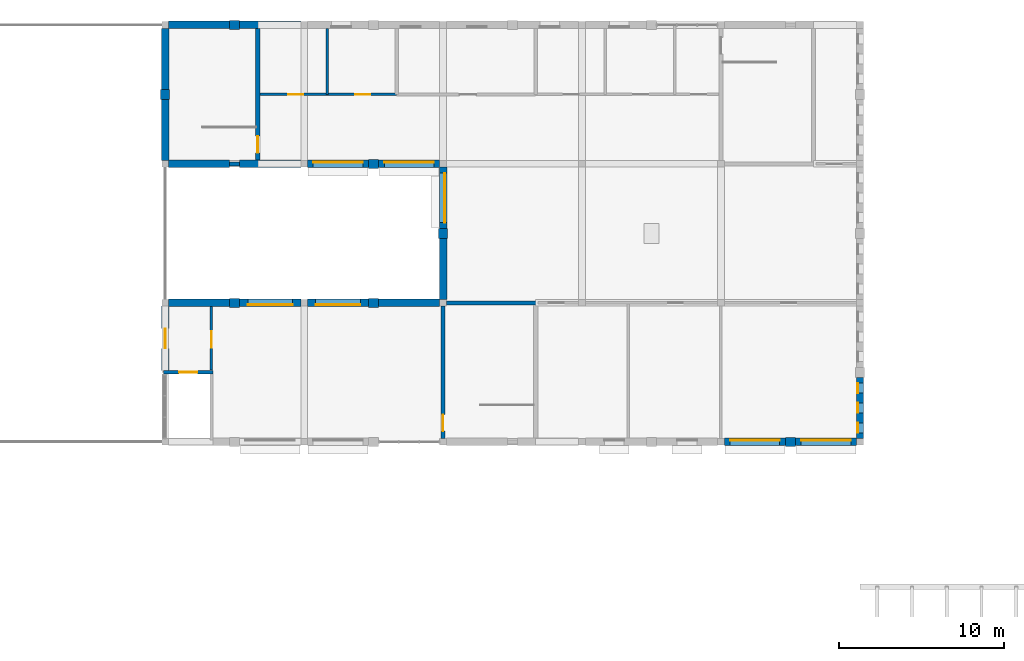
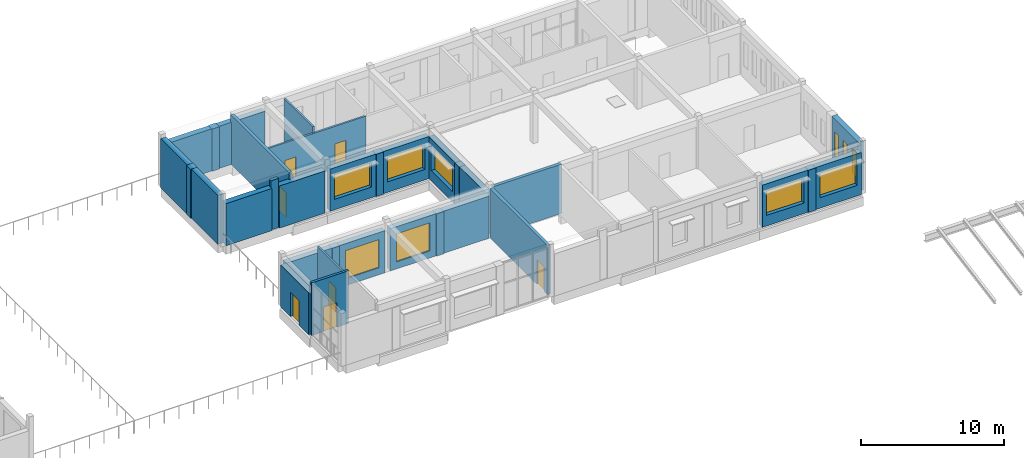
# One storey, part 24 of 30: 33 walls, 10 windows, 7 doors, 17 openings.
"""IFC4 building model written with IfcOpenShell, lengths in metres."""

from ifc_helpers import new_model, si_unit, direction, frame, frame_2d, origin, place, context, subcontext, project, spatial, rectangle, extrude, material, layer, layer_set, type_object, element, fill, save


model = new_model("IFC4")

# Units and contexts
model_context = context("Model", 3, precision=1e-05, world=origin(), true_north=direction((0.0, 1.0)))
body_context = subcontext(model_context, "Body", "Model", "MODEL_VIEW")
ifc_project = project(units=[si_unit("LENGTHUNIT", "METRE"), si_unit("AREAUNIT", "SQUARE_METRE"), si_unit("VOLUMEUNIT", "CUBIC_METRE"), si_unit("PLANEANGLEUNIT", "RADIAN"), si_unit("MASSUNIT", "GRAM", prefix="KILO")], contexts=[model_context])

# Site, building, storey
site_placement = place(None, origin())
site = spatial("IfcSite", under=ifc_project, at=site_placement, CompositionType="ELEMENT")
building_placement = place(site_placement, origin())
building = spatial("IfcBuilding", under=site, at=building_placement, Name="Fescue Hill Polytechnic", CompositionType="ELEMENT")
storey_placement = place(building_placement, frame((0.0, 0.0, 22.5)))
storey = spatial("IfcBuildingStorey", under=building, at=storey_placement, Name="L05", CompositionType="ELEMENT", Elevation=22.5)

# Walls
ifc_material_1 = material(Name="Clay brick masonry", Category="masonry")
ifc_layer_1 = layer(ifc_material_1, 0.550048828125)
ifc_layer_set_1 = layer_set([ifc_layer_1], Name="Clay brick masonry")
wall_type_1 = type_object("IfcWallType", Name="Brick pier 600x550", PredefinedType="SOLIDWALL", material=ifc_layer_set_1)
wall_1_placement = place(storey_placement, frame((75.60009765625, 130.5, 0.0), z_axis=(0.0, 0.0, 1.0), x_axis=(0.0, -1.0, 0.0)))
element("IfcWall", 1, at=wall_1_placement, inside=storey, type_object=wall_type_1, Name="PR-L05-V4b-1", PredefinedType="SOLIDWALL", context=body_context, shape_type="SweptSolid", body=[
    extrude(rectangle(XDim=0.60009765625, YDim=0.550048828125, at=frame_2d((0.300048828125, 0.0))), origin(), (0.0, 0.0, 1.0), 4.199951171875),
])
for number, where, z_axis, x_axis, name in (
    (2, (87.89990234375, 126.0, 0.0), (0.0, 0.0, 1.0), (1.0, 0.0, 0.0), "PR-L05-V4b-3"),
    (3, (92.39990234375, 122.10009765625, 0.0), (0.0, 0.0, 1.0), (0.0, -1.0, 0.0), "PR-L05-V4b-4"),
    (4, (88.5, 117.60009765625, 0.0), (0.0, 0.0, 1.0), (-1.0, 0.0, 0.0), "PR-L05-V4b-5"),
    (5, (80.10009765625, 117.60009765625, 0.0), (0.0, 0.0, 1.0), (-1.0, 0.0, 0.0), "PR-L05-V4b-6"),
):
    element("IfcWall", number, at=place(storey_placement, frame(where, z_axis=z_axis, x_axis=x_axis)), inside=storey, type_object=wall_type_1, Name=name, PredefinedType="SOLIDWALL", context=body_context, shape_type="SweptSolid", body=[
        extrude(rectangle(XDim=0.60009765625, YDim=0.550048828125, at=frame_2d((0.300048828125, 0.0))), origin(), (0.0, 0.0, 1.0), 3.60009765625),
    ])
wall_2_placement = place(storey_placement, frame((113.10009765625, 109.199951171875, 0.0), z_axis=(0.0, 0.0, 1.0), x_axis=(1.0, 0.0, 0.0)))
element("IfcWall", 6, at=wall_2_placement, inside=storey, type_object=wall_type_1, Name="PR-L05-V4b-11", PredefinedType="SOLIDWALL", context=body_context, shape_type="SweptSolid", body=[
    extrude(rectangle(XDim=0.599853515625, YDim=0.550048828125, at=frame_2d((0.2998046875, 0.0))), origin(), (0.0, 0.0, 1.0), 3.60009765625),
])
wall_3_placement = place(storey_placement, frame((80.10009765625, 134.39990234375, 0.0), z_axis=(0.0, 0.0, 1.0), x_axis=(-1.0, 0.0, 0.0)))
element("IfcWall", 7, at=wall_3_placement, inside=storey, type_object=wall_type_1, Name="PR-L05-V4b-19", PredefinedType="SOLIDWALL", context=body_context, shape_type="SweptSolid", body=[
    extrude(rectangle(XDim=0.60009765625, YDim=0.550048828125, at=frame_2d((0.300048828125, 0.0))), origin(), (0.0, 0.0, 1.0), 3.60009765625),
])
ifc_material_2 = material(Name="Concrete 40 MPa", Category="concrete")
ifc_layer_2 = layer(ifc_material_2, 0.25)
ifc_layer_set_2 = layer_set([ifc_layer_2], Name="Concrete 40 MPa")
wall_type_2 = type_object("IfcWallType", Name="Core wall 250", PredefinedType="SHEAR", material=ifc_layer_set_2)
wall_4_placement = place(storey_placement, frame((92.60009765625, 117.60009765625, 0.0), z_axis=(0.0, 0.0, 1.0), x_axis=(1.0, 0.0, 0.0)))
element("IfcWall", 8, at=wall_4_placement, inside=storey, type_object=wall_type_2, Name="CW-L05-ST-V4b-3-21", PredefinedType="SHEAR", context=body_context, shape_type="SweptSolid", body=[
    extrude(rectangle(XDim=5.52490234375, YDim=0.25, at=frame_2d((2.762451171875, 0.0))), origin(), (0.0, 0.0, 1.0), 4.199951171875),
])

# Wall, opening, door
wall_5_placement = place(storey_placement, frame((92.39990234375, 109.39990234375, 0.0), z_axis=(0.0, 0.0, 1.0), x_axis=(0.0, 1.0, 0.0)))
wall_5 = element("IfcWall", 9, at=wall_5_placement, inside=storey, type_object=wall_type_2, Name="CW-L05-ST-V4b-3-31", PredefinedType="SHEAR", context=body_context, shape_type="SweptSolid", body=[
    extrude(rectangle(XDim=8.0, YDim=0.25, at=frame_2d((4.0, 0.0))), origin(), (0.0, 0.0, 1.0), 4.199951171875),
])
opening_1_placement = place(wall_5_placement, frame((0.449951171875, 0.0, 0.0)))
opening_1 = element("IfcOpeningElement", 10, at=opening_1_placement, cuts=wall_5, Name="Opening D5047", PredefinedType="OPENING", context=body_context, shape_type="SweptSolid", body=[
    extrude(rectangle(XDim=1.0, YDim=2.10009765625, at=frame_2d((0.5, 1.050048828125))), frame((0.0, 0.135009765625, 0.0), z_axis=(0.0, -1.0, 0.0), x_axis=(1.0, 0.0, 0.0)), (0.0, 0.0, 1.0), 0.27001953125),
])
ifc_material_3 = material(Name="Steel fire door", Category="steel")
door_type_1 = type_object("IfcDoorType", Name="Door single swing 1000x2100 stair fire rated", OperationType="NOTDEFINED", PredefinedType="DOOR", material=ifc_material_3)
door_1_placement = place(opening_1_placement, origin())
door_1 = element("IfcDoor", 11, at=door_1_placement, inside=storey, type_object=door_type_1, Name="L05 ST-V4b-3 stair door", OperationType="SINGLE_SWING_RIGHT", OverallHeight=2.10009765625, OverallWidth=1.0, PredefinedType="DOOR", context=body_context, shape_type="SweptSolid", body=[
    extrude(rectangle(XDim=1.0, YDim=2.10009765625, at=frame_2d((0.5, 1.050048828125))), frame((0.0, 0.02490234375, 0.0), z_axis=(0.0, -1.0, 0.0), x_axis=(1.0, 0.0, 0.0)), (0.0, 0.0, 1.0), 0.050048828125),
])
fill(opening_1, door_1)

wall_6_placement = place(storey_placement, frame((81.199951171875, 126.125, 0.0), z_axis=(0.0, 0.0, 1.0), x_axis=(0.0, 1.0, 0.0)))
wall_6 = element("IfcWall", 12, at=wall_6_placement, inside=storey, type_object=wall_type_2, Name="CW-L05-ST-V4b-4-41", PredefinedType="SHEAR", context=body_context, shape_type="SweptSolid", body=[
    extrude(rectangle(XDim=8.14990234375, YDim=0.25, at=frame_2d((4.074951171875, 0.0))), origin(), (0.0, 0.0, 1.0), 4.199951171875),
])
opening_2_placement = place(wall_6_placement, frame((0.550048828125, 0.0, 0.0)))
opening_2 = element("IfcOpeningElement", 13, at=opening_2_placement, cuts=wall_6, Name="Opening D5048", PredefinedType="OPENING", context=body_context, shape_type="SweptSolid", body=[
    extrude(rectangle(XDim=1.0, YDim=2.10009765625, at=frame_2d((0.5, 1.050048828125))), frame((0.0, 0.135009765625, 0.0), z_axis=(0.0, -1.0, 0.0), x_axis=(1.0, 0.0, 0.0)), (0.0, 0.0, 1.0), 0.27001953125),
])
door_2_placement = place(opening_2_placement, origin())
door_2 = element("IfcDoor", 14, at=door_2_placement, inside=storey, type_object=door_type_1, Name="L05 ST-V4b-4 stair door", OperationType="SINGLE_SWING_LEFT", OverallHeight=2.10009765625, OverallWidth=1.0, PredefinedType="DOOR", context=body_context, shape_type="SweptSolid", body=[
    extrude(rectangle(XDim=1.0, YDim=2.10009765625, at=frame_2d((0.5, 1.050048828125))), frame((0.0, 0.02490234375, 0.0), z_axis=(0.0, -1.0, 0.0), x_axis=(1.0, 0.0, 0.0)), (0.0, 0.0, 1.0), 0.050048828125),
])
fill(opening_2, door_2)

# Wall
wall_7_placement = place(storey_placement, frame((79.5, 126.0, 0.0), z_axis=(0.0, 0.0, 1.0), x_axis=(1.0, 0.0, 0.0)))
element("IfcWall", 15, at=wall_7_placement, inside=storey, type_object=wall_type_2, Name="SCW-L05-ST-V4b-4-s1", PredefinedType="SHEAR", context=body_context, shape_type="SweptSolid", body=[
    extrude(rectangle(XDim=0.60009765625, YDim=0.25, at=frame_2d((0.300048828125, 0.0))), origin(), (0.0, 0.0, 1.0), 4.199951171875),
])

# Wall, openings, doors
ifc_material_4 = material(Name="Gypsum board partition")
ifc_layer_3 = layer(ifc_material_4, 0.14990234375)
ifc_layer_set_3 = layer_set([ifc_layer_3], Name="Gypsum board partition")
wall_type_3 = type_object("IfcWallType", Name="Corridor wall 150 EI 45", PredefinedType="PARTITIONING", material=ifc_layer_set_3)
wall_8_placement = place(storey_placement, frame((81.35009765625, 130.199951171875, 0.0), z_axis=(0.0, 0.0, 1.0), x_axis=(1.0, 0.0, 0.0)))
wall_8 = element("IfcWall", 16, at=wall_8_placement, inside=storey, type_object=wall_type_3, Name="IW-L05-038", PredefinedType="PARTITIONING", context=body_context, shape_type="SweptSolid", body=[
    extrude(rectangle(XDim=8.25, YDim=0.14990234375, at=frame_2d((4.125, 0.0))), origin(), (0.0, 0.0, 1.0), 3.60009765625),
])
opening_3_placement = place(wall_8_placement, frame((1.699951171875, 0.0, 0.0)))
opening_3 = element("IfcOpeningElement", 17, at=opening_3_placement, cuts=wall_8, Name="Opening D5034", PredefinedType="OPENING", context=body_context, shape_type="SweptSolid", body=[
    extrude(rectangle(XDim=0.89990234375, YDim=2.10009765625, at=frame_2d((0.449951171875, 1.050048828125))), frame((0.0, 0.0849609375, 0.0), z_axis=(0.0, -1.0, 0.0), x_axis=(1.0, 0.0, 0.0)), (0.0, 0.0, 1.0), 0.169921875),
])
opening_4_placement = place(wall_8_placement, frame((5.75, 0.0, 0.0)))
opening_4 = element("IfcOpeningElement", 18, at=opening_4_placement, cuts=wall_8, Name="Opening D5035", PredefinedType="OPENING", context=body_context, shape_type="SweptSolid", body=[
    extrude(rectangle(XDim=0.89990234375, YDim=2.10009765625, at=frame_2d((0.449951171875, 1.050048828125))), frame((0.0, 0.0849609375, 0.0), z_axis=(0.0, -1.0, 0.0), x_axis=(1.0, 0.0, 0.0)), (0.0, 0.0, 1.0), 0.169921875),
])
ifc_material_5 = material(Name="Timber", Category="wood")
door_type_2 = type_object("IfcDoorType", Name="Door single swing 900x2100 FD30S", OperationType="SINGLE_SWING_LEFT", PredefinedType="DOOR", material=ifc_material_5)
door_3_placement = place(opening_3_placement, origin())
door_3 = element("IfcDoor", 19, at=door_3_placement, inside=storey, type_object=door_type_2, Name="Door D5034", OperationType="SINGLE_SWING_LEFT", OverallHeight=2.10009765625, OverallWidth=0.89990234375, PredefinedType="DOOR", context=body_context, shape_type="SweptSolid", body=[
    extrude(rectangle(XDim=0.89990234375, YDim=2.10009765625, at=frame_2d((0.449951171875, 1.050048828125))), frame((0.0, 0.02490234375, 0.0), z_axis=(0.0, -1.0, 0.0), x_axis=(1.0, 0.0, 0.0)), (0.0, 0.0, 1.0), 0.050048828125),
])
fill(opening_3, door_3)
door_4_placement = place(opening_4_placement, origin())
door_4 = element("IfcDoor", 20, at=door_4_placement, inside=storey, type_object=door_type_2, Name="Door D5035", OperationType="SINGLE_SWING_RIGHT", OverallHeight=2.10009765625, OverallWidth=0.89990234375, PredefinedType="DOOR", context=body_context, shape_type="SweptSolid", body=[
    extrude(rectangle(XDim=0.89990234375, YDim=2.10009765625, at=frame_2d((0.449951171875, 1.050048828125))), frame((0.0, 0.02490234375, 0.0), z_axis=(0.0, -1.0, 0.0), x_axis=(1.0, 0.0, 0.0)), (0.0, 0.0, 1.0), 0.050048828125),
])
fill(opening_4, door_4)

# Wall, opening, window
ifc_layer_4 = layer(ifc_material_2, 0.449951171875)
ifc_layer_set_4 = layer_set([ifc_layer_4], Name="Concrete 40 MPa")
wall_type_4 = type_object("IfcWallType", Name="Exterior wall board-marked concrete 450", PredefinedType="SOLIDWALL", material=ifc_layer_set_4)
wall_9_placement = place(storey_placement, frame((84.199951171875, 126.0, 0.0), z_axis=(0.0, 0.0, 1.0), x_axis=(1.0, 0.0, 0.0)))
wall_9 = element("IfcWall", 21, at=wall_9_placement, inside=storey, type_object=wall_type_4, Name="EW-L05-V4b-5", PredefinedType="SOLIDWALL", context=body_context, shape_type="SweptSolid", body=[
    extrude(rectangle(XDim=3.699951171875, YDim=0.449951171875, at=frame_2d((1.85009765625, 0.0))), origin(), (0.0, 0.0, 1.0), 3.60009765625),
])
opening_5_placement = place(wall_9_placement, frame((0.35009765625, 0.0, 0.89990234375)))
opening_5 = element("IfcOpeningElement", 22, at=opening_5_placement, cuts=wall_9, Name="Opening W5", PredefinedType="OPENING", context=body_context, shape_type="SweptSolid", body=[
    extrude(rectangle(XDim=3.0, YDim=2.10009765625, at=frame_2d((1.5, 1.050048828125))), frame((0.0, 0.23486328125, 0.0), z_axis=(0.0, -1.0, 0.0), x_axis=(1.0, 0.0, 0.0)), (0.0, 0.0, 1.0), 0.469970703125),
])
ifc_material_6 = material(Name="Powder-coated aluminium and glass", Category="aluminium")
window_type_1 = type_object("IfcWindowType", Name="Window studio large 3000x2100", PartitioningType="SINGLE_PANEL", PredefinedType="WINDOW", material=ifc_material_6)
window_1_placement = place(opening_5_placement, origin())
window_1 = element("IfcWindow", 23, at=window_1_placement, inside=storey, type_object=window_type_1, Name="WN-L05-V4b-1", OverallHeight=2.10009765625, OverallWidth=3.0, PartitioningType="SINGLE_PANEL", PredefinedType="WINDOW", context=body_context, shape_type="SweptSolid", body=[
    extrude(rectangle(XDim=3.0, YDim=2.10009765625, at=frame_2d((1.5, 1.050048828125))), frame((0.0, 0.135009765625, 0.0), z_axis=(0.0, -1.0, 0.0), x_axis=(1.0, 0.0, 0.0)), (0.0, 0.0, 1.0), 0.06005859375),
])
fill(opening_5, window_1)

wall_10_placement = place(storey_placement, frame((88.5, 126.0, 0.0), z_axis=(0.0, 0.0, 1.0), x_axis=(1.0, 0.0, 0.0)))
wall_10 = element("IfcWall", 24, at=wall_10_placement, inside=storey, type_object=wall_type_4, Name="EW-L05-V4b-6", PredefinedType="SOLIDWALL", context=body_context, shape_type="SweptSolid", body=[
    extrude(rectangle(XDim=3.699951171875, YDim=0.449951171875, at=frame_2d((1.85009765625, 0.0))), origin(), (0.0, 0.0, 1.0), 3.60009765625),
])
opening_6_placement = place(wall_10_placement, frame((0.35009765625, 0.0, 0.89990234375)))
opening_6 = element("IfcOpeningElement", 25, at=opening_6_placement, cuts=wall_10, Name="Opening W5", PredefinedType="OPENING", context=body_context, shape_type="SweptSolid", body=[
    extrude(rectangle(XDim=3.0, YDim=2.10009765625, at=frame_2d((1.5, 1.050048828125))), frame((0.0, 0.23486328125, 0.0), z_axis=(0.0, -1.0, 0.0), x_axis=(1.0, 0.0, 0.0)), (0.0, 0.0, 1.0), 0.469970703125),
])
window_2_placement = place(opening_6_placement, origin())
window_2 = element("IfcWindow", 26, at=window_2_placement, inside=storey, type_object=window_type_1, Name="WN-L05-V4b-2", OverallHeight=2.10009765625, OverallWidth=3.0, PartitioningType="SINGLE_PANEL", PredefinedType="WINDOW", context=body_context, shape_type="SweptSolid", body=[
    extrude(rectangle(XDim=3.0, YDim=2.10009765625, at=frame_2d((1.5, 1.050048828125))), frame((0.0, 0.135009765625, 0.0), z_axis=(0.0, -1.0, 0.0), x_axis=(1.0, 0.0, 0.0)), (0.0, 0.0, 1.0), 0.06005859375),
])
fill(opening_6, window_2)

wall_11_placement = place(storey_placement, frame((92.39990234375, 125.800048828125, 0.0), z_axis=(0.0, 0.0, 1.0), x_axis=(0.0, -1.0, 0.0)))
wall_11 = element("IfcWall", 27, at=wall_11_placement, inside=storey, type_object=wall_type_4, Name="EW-L05-V4b-7", PredefinedType="SOLIDWALL", context=body_context, shape_type="SweptSolid", body=[
    extrude(rectangle(XDim=3.699951171875, YDim=0.449951171875, at=frame_2d((1.85009765625, 0.0))), origin(), (0.0, 0.0, 1.0), 3.60009765625),
])
opening_7_placement = place(wall_11_placement, frame((0.35009765625, 0.0, 0.89990234375)))
opening_7 = element("IfcOpeningElement", 28, at=opening_7_placement, cuts=wall_11, Name="Opening W5", PredefinedType="OPENING", context=body_context, shape_type="SweptSolid", body=[
    extrude(rectangle(XDim=3.0, YDim=2.10009765625, at=frame_2d((1.5, 1.050048828125))), frame((0.0, 0.23486328125, 0.0), z_axis=(0.0, -1.0, 0.0), x_axis=(1.0, 0.0, 0.0)), (0.0, 0.0, 1.0), 0.469970703125),
])
window_3_placement = place(opening_7_placement, origin())
window_3 = element("IfcWindow", 29, at=window_3_placement, inside=storey, type_object=window_type_1, Name="WN-L05-V4b-3", OverallHeight=2.10009765625, OverallWidth=3.0, PartitioningType="SINGLE_PANEL", PredefinedType="WINDOW", context=body_context, shape_type="SweptSolid", body=[
    extrude(rectangle(XDim=3.0, YDim=2.10009765625, at=frame_2d((1.5, 1.050048828125))), frame((0.0, 0.135009765625, 0.0), z_axis=(0.0, -1.0, 0.0), x_axis=(1.0, 0.0, 0.0)), (0.0, 0.0, 1.0), 0.06005859375),
])
fill(opening_7, window_3)

# Walls
for number, where, z_axis, x_axis, name in (
    (30, (92.39990234375, 121.5, 0.0), (0.0, 0.0, 1.0), (0.0, -1.0, 0.0), "EW-L05-V4b-8"),
    (31, (92.199951171875, 117.60009765625, 0.0), (0.0, 0.0, 1.0), (-1.0, 0.0, 0.0), "EW-L05-V4b-9"),
):
    element("IfcWall", number, at=place(storey_placement, frame(where, z_axis=z_axis, x_axis=x_axis)), inside=storey, type_object=wall_type_4, Name=name, PredefinedType="SOLIDWALL", context=body_context, shape_type="SweptSolid", body=[
        extrude(rectangle(XDim=3.699951171875, YDim=0.449951171875, at=frame_2d((1.85009765625, 0.0))), origin(), (0.0, 0.0, 1.0), 3.60009765625),
    ])

# Wall, opening, window
wall_12_placement = place(storey_placement, frame((87.89990234375, 117.60009765625, 0.0), z_axis=(0.0, 0.0, 1.0), x_axis=(-1.0, 0.0, 0.0)))
wall_12 = element("IfcWall", 32, at=wall_12_placement, inside=storey, type_object=wall_type_4, Name="EW-L05-V4b-10", PredefinedType="SOLIDWALL", context=body_context, shape_type="SweptSolid", body=[
    extrude(rectangle(XDim=3.699951171875, YDim=0.449951171875, at=frame_2d((1.85009765625, 0.0))), origin(), (0.0, 0.0, 1.0), 3.60009765625),
])
opening_8_placement = place(wall_12_placement, frame((0.5, 0.0, 0.60009765625)))
opening_8 = element("IfcOpeningElement", 33, at=opening_8_placement, cuts=wall_12, Name="Opening W16R", PredefinedType="OPENING", context=body_context, shape_type="SweptSolid", body=[
    extrude(rectangle(XDim=2.699951171875, YDim=2.39990234375, at=frame_2d((1.35009765625, 1.199951171875))), frame((0.0, 0.23486328125, 0.0), z_axis=(0.0, -1.0, 0.0), x_axis=(1.0, 0.0, 0.0)), (0.0, 0.0, 1.0), 0.469970703125),
])
window_type_2 = type_object("IfcWindowType", Name="Window studio north-light 2700x2400", PartitioningType="TRIPLE_PANEL_VERTICAL", PredefinedType="WINDOW", material=ifc_material_6)
window_4_placement = place(opening_8_placement, origin())
window_4 = element("IfcWindow", 34, at=window_4_placement, inside=storey, type_object=window_type_2, Name="WN-L05-V4b-4", OverallHeight=2.39990234375, OverallWidth=2.699951171875, PartitioningType="SINGLE_PANEL", PredefinedType="WINDOW", context=body_context, shape_type="SweptSolid", body=[
    extrude(rectangle(XDim=2.699951171875, YDim=2.39990234375, at=frame_2d((1.35009765625, 1.199951171875))), frame((0.0, 0.135009765625, 0.0), z_axis=(0.0, -1.0, 0.0), x_axis=(1.0, 0.0, 0.0)), (0.0, 0.0, 1.0), 0.06005859375),
])
fill(opening_8, window_4)

wall_13_placement = place(storey_placement, frame((83.800048828125, 117.60009765625, 0.0), z_axis=(0.0, 0.0, 1.0), x_axis=(-1.0, 0.0, 0.0)))
wall_13 = element("IfcWall", 35, at=wall_13_placement, inside=storey, type_object=wall_type_4, Name="EW-L05-V4b-11", PredefinedType="SOLIDWALL", context=body_context, shape_type="SweptSolid", body=[
    extrude(rectangle(XDim=3.699951171875, YDim=0.449951171875, at=frame_2d((1.85009765625, 0.0))), origin(), (0.0, 0.0, 1.0), 3.60009765625),
])
opening_9_placement = place(wall_13_placement, frame((0.5, 0.0, 0.60009765625)))
opening_9 = element("IfcOpeningElement", 36, at=opening_9_placement, cuts=wall_13, Name="Opening W16R", PredefinedType="OPENING", context=body_context, shape_type="SweptSolid", body=[
    extrude(rectangle(XDim=2.699951171875, YDim=2.39990234375, at=frame_2d((1.35009765625, 1.199951171875))), frame((0.0, 0.23486328125, 0.0), z_axis=(0.0, -1.0, 0.0), x_axis=(1.0, 0.0, 0.0)), (0.0, 0.0, 1.0), 0.469970703125),
])
window_5_placement = place(opening_9_placement, origin())
window_5 = element("IfcWindow", 37, at=window_5_placement, inside=storey, type_object=window_type_2, Name="WN-L05-V4b-5", OverallHeight=2.39990234375, OverallWidth=2.699951171875, PartitioningType="SINGLE_PANEL", PredefinedType="WINDOW", context=body_context, shape_type="SweptSolid", body=[
    extrude(rectangle(XDim=2.699951171875, YDim=2.39990234375, at=frame_2d((1.35009765625, 1.199951171875))), frame((0.0, 0.135009765625, 0.0), z_axis=(0.0, -1.0, 0.0), x_axis=(1.0, 0.0, 0.0)), (0.0, 0.0, 1.0), 0.06005859375),
])
fill(opening_9, window_5)

# Wall
wall_14_placement = place(storey_placement, frame((79.5, 117.60009765625, 0.0), z_axis=(0.0, 0.0, 1.0), x_axis=(-1.0, 0.0, 0.0)))
element("IfcWall", 38, at=wall_14_placement, inside=storey, type_object=wall_type_4, Name="EW-L05-V4b-12", PredefinedType="SOLIDWALL", context=body_context, shape_type="SweptSolid", body=[
    extrude(rectangle(XDim=3.699951171875, YDim=0.449951171875, at=frame_2d((1.85009765625, 0.0))), origin(), (0.0, 0.0, 1.0), 3.60009765625),
])

# Wall, opening, door
wall_15_placement = place(storey_placement, frame((75.60009765625, 117.39990234375, 0.0), z_axis=(0.0, 0.0, 1.0), x_axis=(0.0, -1.0, 0.0)))
wall_15 = element("IfcWall", 39, at=wall_15_placement, inside=storey, type_object=wall_type_4, Name="EW-L05-V4b-13", PredefinedType="SOLIDWALL", context=body_context, shape_type="SweptSolid", body=[
    extrude(rectangle(XDim=3.89892578125, YDim=0.449951171875, at=frame_2d((1.949462890625, 0.0))), origin(), (0.0, 0.0, 1.0), 3.60009765625),
])
opening_10_placement = place(wall_15_placement, frame((1.349609375, 0.0, 0.0)))
opening_10 = element("IfcOpeningElement", 40, at=opening_10_placement, cuts=wall_15, Name="Opening D5002", PredefinedType="OPENING", context=body_context, shape_type="SweptSolid", body=[
    extrude(rectangle(XDim=1.199951171875, YDim=2.10009765625, at=frame_2d((0.60009765625, 1.050048828125))), frame((0.0, 0.23486328125, 0.0), z_axis=(0.0, -1.0, 0.0), x_axis=(1.0, 0.0, 0.0)), (0.0, 0.0, 1.0), 0.469970703125),
])
ifc_material_7 = material(Name="Aluminium and glass", Category="aluminium")
door_type_3 = type_object("IfcDoorType", Name="Door terrace glazed single 1200x2100", OperationType="SINGLE_SWING_LEFT", PredefinedType="DOOR", material=ifc_material_7)
door_5_placement = place(opening_10_placement, origin())
door_5 = element("IfcDoor", 41, at=door_5_placement, inside=storey, type_object=door_type_3, Name="Door D5002", OperationType="SINGLE_SWING_LEFT", OverallHeight=2.10009765625, OverallWidth=1.199951171875, PredefinedType="DOOR", context=body_context, shape_type="SweptSolid", body=[
    extrude(rectangle(XDim=1.199951171875, YDim=2.10009765625, at=frame_2d((0.60009765625, 1.050048828125))), frame((0.0, 0.02490234375, 0.0), z_axis=(0.0, -1.0, 0.0), x_axis=(1.0, 0.0, 0.0)), (0.0, 0.0, 1.0), 0.050048828125),
])
fill(opening_10, door_5)

# Wall, opening, window
wall_16_placement = place(storey_placement, frame((109.39990234375, 109.199951171875, 0.0), z_axis=(0.0, 0.0, 1.0), x_axis=(1.0, 0.0, 0.0)))
wall_16 = element("IfcWall", 42, at=wall_16_placement, inside=storey, type_object=wall_type_4, Name="EW-L05-V4b-23", PredefinedType="SOLIDWALL", context=body_context, shape_type="SweptSolid", body=[
    extrude(rectangle(XDim=3.7001953125, YDim=0.449951171875, at=frame_2d((1.85009765625, 0.0))), origin(), (0.0, 0.0, 1.0), 3.60009765625),
])
opening_11_placement = place(wall_16_placement, frame((0.35009765625, 0.0, 0.89990234375)))
opening_11 = element("IfcOpeningElement", 43, at=opening_11_placement, cuts=wall_16, Name="Opening W5", PredefinedType="OPENING", context=body_context, shape_type="SweptSolid", body=[
    extrude(rectangle(XDim=3.0, YDim=2.10009765625, at=frame_2d((1.5, 1.050048828125))), frame((0.0, 0.23486328125, 0.0), z_axis=(0.0, -1.0, 0.0), x_axis=(1.0, 0.0, 0.0)), (0.0, 0.0, 1.0), 0.469970703125),
])
window_6_placement = place(opening_11_placement, origin())
window_6 = element("IfcWindow", 44, at=window_6_placement, inside=storey, type_object=window_type_1, Name="WN-L05-V4b-10", OverallHeight=2.10009765625, OverallWidth=3.0, PartitioningType="SINGLE_PANEL", PredefinedType="WINDOW", context=body_context, shape_type="SweptSolid", body=[
    extrude(rectangle(XDim=3.0, YDim=2.10009765625, at=frame_2d((1.5, 1.050048828125))), frame((0.0, 0.135009765625, 0.0), z_axis=(0.0, -1.0, 0.0), x_axis=(1.0, 0.0, 0.0)), (0.0, 0.0, 1.0), 0.06005859375),
])
fill(opening_11, window_6)

wall_17_placement = place(storey_placement, frame((113.699951171875, 109.199951171875, 0.0), z_axis=(0.0, 0.0, 1.0), x_axis=(1.0, 0.0, 0.0)))
wall_17 = element("IfcWall", 45, at=wall_17_placement, inside=storey, type_object=wall_type_4, Name="EW-L05-V4b-24", PredefinedType="SOLIDWALL", context=body_context, shape_type="SweptSolid", body=[
    extrude(rectangle(XDim=3.699951171875, YDim=0.449951171875, at=frame_2d((1.85009765625, 0.0))), origin(), (0.0, 0.0, 1.0), 3.60009765625),
])
opening_12_placement = place(wall_17_placement, frame((0.35009765625, 0.0, 0.89990234375)))
opening_12 = element("IfcOpeningElement", 46, at=opening_12_placement, cuts=wall_17, Name="Opening W5", PredefinedType="OPENING", context=body_context, shape_type="SweptSolid", body=[
    extrude(rectangle(XDim=3.0, YDim=2.10009765625, at=frame_2d((1.5, 1.050048828125))), frame((0.0, 0.23486328125, 0.0), z_axis=(0.0, -1.0, 0.0), x_axis=(1.0, 0.0, 0.0)), (0.0, 0.0, 1.0), 0.469970703125),
])
window_7_placement = place(opening_12_placement, origin())
window_7 = element("IfcWindow", 47, at=window_7_placement, inside=storey, type_object=window_type_1, Name="WN-L05-V4b-11", OverallHeight=2.10009765625, OverallWidth=3.0, PartitioningType="SINGLE_PANEL", PredefinedType="WINDOW", context=body_context, shape_type="SweptSolid", body=[
    extrude(rectangle(XDim=3.0, YDim=2.10009765625, at=frame_2d((1.5, 1.050048828125))), frame((0.0, 0.135009765625, 0.0), z_axis=(0.0, -1.0, 0.0), x_axis=(1.0, 0.0, 0.0)), (0.0, 0.0, 1.0), 0.06005859375),
])
fill(opening_12, window_7)

# Walls
ifc_layer_5 = layer(ifc_material_2, 0.449951171875)
ifc_layer_set_5 = layer_set([ifc_layer_5], Name="Concrete 40 MPa")
wall_type_5 = type_object("IfcWallType", Name="Exterior wall board-marked concrete 450 load-bearing", PredefinedType="SOLIDWALL", material=ifc_layer_set_5)
for number, where, z_axis, x_axis, name in (
    (48, (75.60009765625, 134.199951171875, 0.0), (0.0, 0.0, 1.0), (0.0, -1.0, 0.0), "EW-L05-V4b-1"),
    (49, (75.60009765625, 129.89990234375, 0.0), (0.0, 0.0, 1.0), (0.0, -1.0, 0.0), "EW-L05-V4b-2"),
):
    element("IfcWall", number, at=place(storey_placement, frame(where, z_axis=z_axis, x_axis=x_axis)), inside=storey, type_object=wall_type_5, Name=name, PredefinedType="SOLIDWALL", context=body_context, shape_type="SweptSolid", body=[
        extrude(rectangle(XDim=3.699951171875, YDim=0.449951171875, at=frame_2d((1.85009765625, 0.0))), origin(), (0.0, 0.0, 1.0), 4.199951171875),
    ])
for number, where, z_axis, x_axis, name in (
    (50, (75.800048828125, 126.0, 0.0), (0.0, 0.0, 1.0), (1.0, 0.0, 0.0), "EW-L05-V4b-3"),
    (51, (80.10009765625, 126.0, 0.0), (0.0, 0.0, 1.0), (1.0, 0.0, 0.0), "EW-L05-V4b-4"),
    (52, (83.800048828125, 134.39990234375, 0.0), (0.0, 0.0, 1.0), (-1.0, 0.0, 0.0), "EW-L05-V4b-39"),
    (53, (79.5, 134.39990234375, 0.0), (0.0, 0.0, 1.0), (-1.0, 0.0, 0.0), "EW-L05-V4b-40"),
):
    element("IfcWall", number, at=place(storey_placement, frame(where, z_axis=z_axis, x_axis=x_axis)), inside=storey, type_object=wall_type_5, Name=name, PredefinedType="SOLIDWALL", context=body_context, shape_type="SweptSolid", body=[
        extrude(rectangle(XDim=3.699951171875, YDim=0.449951171875, at=frame_2d((1.85009765625, 0.0))), origin(), (0.0, 0.0, 1.0), 3.60009765625),
    ])

# Wall, openings, windows
ifc_layer_6 = layer(ifc_material_1, 0.419921875)
ifc_layer_set_6 = layer_set([ifc_layer_6], Name="Clay brick masonry")
wall_type_6 = type_object("IfcWallType", Name="Exterior wall buff-red brick cavity 420", PredefinedType="SOLIDWALL", material=ifc_layer_set_6)
wall_18_placement = place(storey_placement, frame((117.60009765625, 109.39990234375, 0.0), z_axis=(0.0, 0.0, 1.0), x_axis=(0.0, 1.0, 0.0)))
wall_18 = element("IfcWall", 54, at=wall_18_placement, inside=storey, type_object=wall_type_6, Name="EW-L05-V4b-25", PredefinedType="SOLIDWALL", context=body_context, shape_type="SweptSolid", body=[
    extrude(rectangle(XDim=3.7001953125, YDim=0.419921875, at=frame_2d((1.85009765625, 0.0))), origin(), (0.0, 0.0, 1.0), 4.199951171875),
])
opening_13_placement = place(wall_18_placement, frame((0.35009765625, 0.0, 1.0)))
opening_13 = element("IfcOpeningElement", 55, at=opening_13_placement, cuts=wall_18, Name="Opening W6", PredefinedType="OPENING", context=body_context, shape_type="SweptSolid", body=[
    extrude(rectangle(XDim=0.60009765625, YDim=2.10009765625, at=frame_2d((0.300048828125, 1.050048828125))), frame((0.0, 0.219970703125, 0.0), z_axis=(0.0, -1.0, 0.0), x_axis=(1.0, 0.0, 0.0)), (0.0, 0.0, 1.0), 0.43994140625),
])
opening_14_placement = place(wall_18_placement, frame((1.550048828125, 0.0, 1.0)))
opening_14 = element("IfcOpeningElement", 56, at=opening_14_placement, cuts=wall_18, Name="Opening W6", PredefinedType="OPENING", context=body_context, shape_type="SweptSolid", body=[
    extrude(rectangle(XDim=0.60009765625, YDim=2.10009765625, at=frame_2d((0.300048828125, 1.050048828125))), frame((0.0, 0.219970703125, 0.0), z_axis=(0.0, -1.0, 0.0), x_axis=(1.0, 0.0, 0.0)), (0.0, 0.0, 1.0), 0.43994140625),
])
opening_15_placement = place(wall_18_placement, frame((2.75, 0.0, 1.0)))
opening_15 = element("IfcOpeningElement", 57, at=opening_15_placement, cuts=wall_18, Name="Opening W6", PredefinedType="OPENING", context=body_context, shape_type="SweptSolid", body=[
    extrude(rectangle(XDim=0.60009765625, YDim=2.10009765625, at=frame_2d((0.300048828125, 1.050048828125))), frame((0.0, 0.219970703125, 0.0), z_axis=(0.0, -1.0, 0.0), x_axis=(1.0, 0.0, 0.0)), (0.0, 0.0, 1.0), 0.43994140625),
])
window_type_3 = type_object("IfcWindowType", Name="Window slot 600x2100", PartitioningType="SINGLE_PANEL", PredefinedType="WINDOW", material=ifc_material_6)
window_8_placement = place(opening_13_placement, origin())
window_8 = element("IfcWindow", 58, at=window_8_placement, inside=storey, type_object=window_type_3, Name="WN-L05-V4b-12", OverallHeight=2.10009765625, OverallWidth=0.60009765625, PartitioningType="SINGLE_PANEL", PredefinedType="WINDOW", context=body_context, shape_type="SweptSolid", body=[
    extrude(rectangle(XDim=0.60009765625, YDim=2.10009765625, at=frame_2d((0.300048828125, 1.050048828125))), frame((0.0, 0.150146484375, 0.0), z_axis=(0.0, -1.0, 0.0), x_axis=(1.0, 0.0, 0.0)), (0.0, 0.0, 1.0), 0.06005859375),
])
fill(opening_13, window_8)
window_9_placement = place(opening_14_placement, origin())
window_9 = element("IfcWindow", 59, at=window_9_placement, inside=storey, type_object=window_type_3, Name="WN-L05-V4b-13", OverallHeight=2.10009765625, OverallWidth=0.60009765625, PartitioningType="SINGLE_PANEL", PredefinedType="WINDOW", context=body_context, shape_type="SweptSolid", body=[
    extrude(rectangle(XDim=0.60009765625, YDim=2.10009765625, at=frame_2d((0.300048828125, 1.050048828125))), frame((0.0, 0.150146484375, 0.0), z_axis=(0.0, -1.0, 0.0), x_axis=(1.0, 0.0, 0.0)), (0.0, 0.0, 1.0), 0.06005859375),
])
fill(opening_14, window_9)
window_10_placement = place(opening_15_placement, origin())
window_10 = element("IfcWindow", 60, at=window_10_placement, inside=storey, type_object=window_type_3, Name="WN-L05-V4b-14", OverallHeight=2.10009765625, OverallWidth=0.60009765625, PartitioningType="SINGLE_PANEL", PredefinedType="WINDOW", context=body_context, shape_type="SweptSolid", body=[
    extrude(rectangle(XDim=0.60009765625, YDim=2.10009765625, at=frame_2d((0.300048828125, 1.050048828125))), frame((0.0, 0.150146484375, 0.0), z_axis=(0.0, -1.0, 0.0), x_axis=(1.0, 0.0, 0.0)), (0.0, 0.0, 1.0), 0.06005859375),
])
fill(opening_15, window_10)

# Wall, opening, door
ifc_layer_7 = layer(ifc_material_2, 0.199951171875)
ifc_layer_set_7 = layer_set([ifc_layer_7], Name="Concrete 40 MPa")
wall_type_7 = type_object("IfcWallType", Name="Lift shaft wall 200", PredefinedType="SHEAR", material=ifc_layer_set_7)
wall_19_placement = place(storey_placement, frame((75.5, 113.39990234375, 0.0), z_axis=(0.0, 0.0, 1.0), x_axis=(1.0, 0.0, 0.0)))
wall_19 = element("IfcWall", 61, at=wall_19_placement, inside=storey, type_object=wall_type_7, Name="CW-L05-LF-V4b-1-21", PredefinedType="SHEAR", context=body_context, shape_type="SweptSolid", body=[
    extrude(rectangle(XDim=3.0, YDim=0.199951171875, at=frame_2d((1.5, 0.0))), origin(), (0.0, 0.0, 1.0), 4.5),
])
opening_16_placement = place(wall_19_placement, frame((0.949951171875, 0.0, 0.0)))
opening_16 = element("IfcOpeningElement", 62, at=opening_16_placement, cuts=wall_19, Name="Opening LD8-L05", PredefinedType="OPENING", context=body_context, shape_type="SweptSolid", body=[
    extrude(rectangle(XDim=1.10009765625, YDim=2.10009765625, at=frame_2d((0.550048828125, 1.050048828125))), frame((0.0, 0.10986328125, 0.0), z_axis=(0.0, -1.0, 0.0), x_axis=(1.0, 0.0, 0.0)), (0.0, 0.0, 1.0), 0.219970703125),
])
ifc_material_8 = material(Name="Stainless steel", Category="steel")
door_type_4 = type_object("IfcDoorType", Name="Lift landing door sliding 1100x2100", OperationType="SLIDING_TO_LEFT", PredefinedType="DOOR", material=ifc_material_8)
door_6_placement = place(opening_16_placement, origin())
door_6 = element("IfcDoor", 63, at=door_6_placement, inside=storey, type_object=door_type_4, Name="L05 LF-V4b-1 lift landing door", OperationType="SLIDING_TO_RIGHT", OverallHeight=2.10009765625, OverallWidth=1.10009765625, PredefinedType="DOOR", context=body_context, shape_type="SweptSolid", body=[
    extrude(rectangle(XDim=1.10009765625, YDim=2.10009765625, at=frame_2d((0.550048828125, 1.050048828125))), frame((0.0, 0.02490234375, 0.0), z_axis=(0.0, -1.0, 0.0), x_axis=(1.0, 0.0, 0.0)), (0.0, 0.0, 1.0), 0.050048828125),
])
fill(opening_16, door_6)

ifc_layer_8 = layer(ifc_material_4, 0.14990234375)
ifc_layer_set_8 = layer_set([ifc_layer_8], Name="Gypsum board partition")
wall_type_8 = type_object("IfcWallType", Name="Lobby wall 150 EI 60", PredefinedType="PARTITIONING", material=ifc_layer_set_8)
wall_20_placement = place(storey_placement, frame((78.39990234375, 113.550048828125, 0.0), z_axis=(0.0, 0.0, 1.0), x_axis=(0.0, 1.0, 0.0)))
wall_20 = element("IfcWall", 64, at=wall_20_placement, inside=storey, type_object=wall_type_8, Name="IW-L05-060", PredefinedType="PARTITIONING", context=body_context, shape_type="SweptSolid", body=[
    extrude(rectangle(XDim=3.824951171875, YDim=0.14990234375, at=frame_2d((1.91259765625, 0.0))), origin(), (0.0, 0.0, 1.0), 4.14990234375),
])
opening_17_placement = place(wall_20_placement, frame((1.35009765625, 0.0, 0.0)))
opening_17 = element("IfcOpeningElement", 65, at=opening_17_placement, cuts=wall_20, Name="Opening D5030", PredefinedType="OPENING", context=body_context, shape_type="SweptSolid", body=[
    extrude(rectangle(XDim=1.0, YDim=2.10009765625, at=frame_2d((0.5, 1.050048828125))), frame((0.0, 0.0849609375, 0.0), z_axis=(0.0, -1.0, 0.0), x_axis=(1.0, 0.0, 0.0)), (0.0, 0.0, 1.0), 0.169921875),
])
ifc_material_9 = material(Name="Steel", Category="steel")
door_type_5 = type_object("IfcDoorType", Name="Door single swing 1000x2100 FD60", OperationType="SINGLE_SWING_LEFT", PredefinedType="DOOR", material=ifc_material_9)
door_7_placement = place(opening_17_placement, origin())
door_7 = element("IfcDoor", 66, at=door_7_placement, inside=storey, type_object=door_type_5, Name="Door D5030", OperationType="SINGLE_SWING_LEFT", OverallHeight=2.10009765625, OverallWidth=1.0, PredefinedType="DOOR", context=body_context, shape_type="SweptSolid", body=[
    extrude(rectangle(XDim=1.0, YDim=2.10009765625, at=frame_2d((0.5, 1.050048828125))), frame((0.0, 0.02490234375, 0.0), z_axis=(0.0, -1.0, 0.0), x_axis=(1.0, 0.0, 0.0)), (0.0, 0.0, 1.0), 0.050048828125),
])
fill(opening_17, door_7)

# Wall
ifc_layer_9 = layer(ifc_material_4, 0.14990234375)
ifc_layer_set_9 = layer_set([ifc_layer_9], Name="Gypsum board partition")
wall_type_9 = type_object("IfcWallType", Name="Partition stud 150 acoustic", PredefinedType="PARTITIONING", material=ifc_layer_set_9)
wall_21_placement = place(storey_placement, frame((85.39990234375, 130.199951171875, 0.0), z_axis=(0.0, 0.0, 1.0), x_axis=(0.0, 1.0, 0.0)))
element("IfcWall", 67, at=wall_21_placement, inside=storey, type_object=wall_type_9, Name="IW-L05-061", PredefinedType="PARTITIONING", context=body_context, shape_type="SweptSolid", body=[
    extrude(rectangle(XDim=3.97509765625, YDim=0.14990234375, at=frame_2d((1.987548828125, 0.0))), origin(), (0.0, 0.0, 1.0), 4.14990234375),
])

save(model, "model.ifc")
